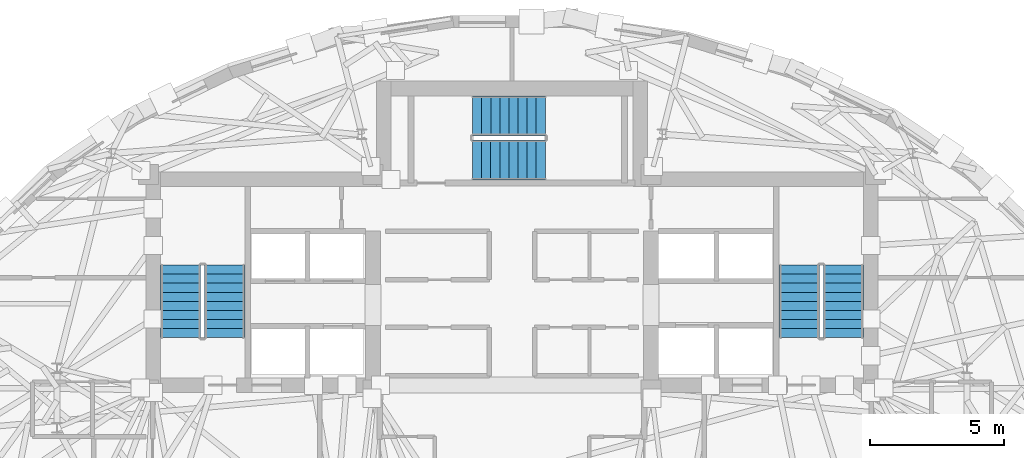
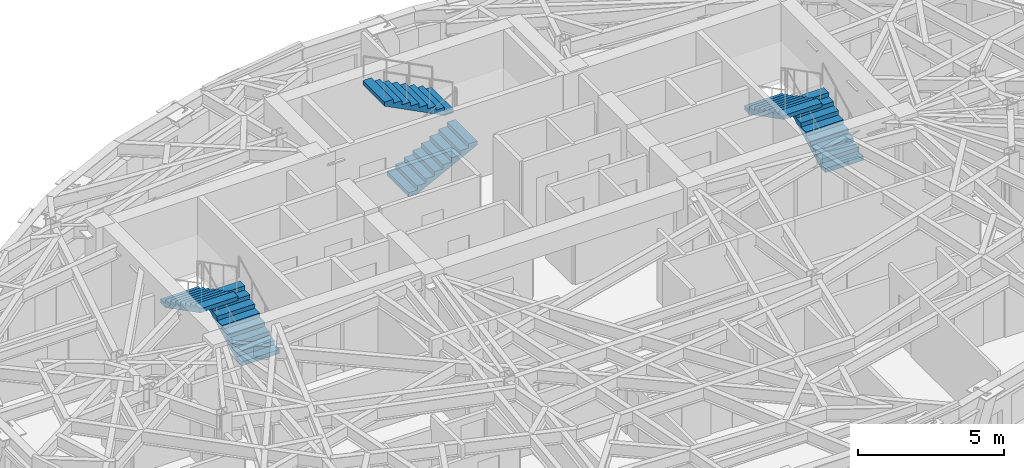
# One storey, part 11 of 14: 6 stair flights, 3 elements without a shape of their own.
"""IFC4 building model written with IfcOpenShell, lengths in metres."""

from ifc_helpers import new_model, si_unit, direction, frame, origin, place, context, subcontext, project, spatial, polyline, outline, extrude, material, type_object, element, aggregate, save


model = new_model("IFC4")

# Units and contexts
model_context = context("Model", 3, precision=1e-05, world=origin(), true_north=direction((0.0, 1.0)))
body_context = subcontext(model_context, "Body", "Model", "MODEL_VIEW")
ifc_project = project(units=[si_unit("LENGTHUNIT", "METRE"), si_unit("AREAUNIT", "SQUARE_METRE"), si_unit("VOLUMEUNIT", "CUBIC_METRE"), si_unit("PLANEANGLEUNIT", "RADIAN"), si_unit("MASSUNIT", "GRAM", prefix="KILO")], contexts=[model_context])

# Site, building, storey
site_placement = place(None, origin())
site = spatial("IfcSite", under=ifc_project, at=site_placement, CompositionType="ELEMENT")
building_placement = place(site_placement, origin())
building = spatial("IfcBuilding", under=site, at=building_placement, Name="Keldmark Tower", CompositionType="ELEMENT")
storey_placement = place(building_placement, frame((0.0, 0.0, 225.75)))
storey = spatial("IfcBuildingStorey", under=building, at=storey_placement, Name="L63", CompositionType="ELEMENT", Elevation=225.75)

# Stair, stair flights
ifc_material_1 = material(Name="Concrete C40/50", Category="concrete")
stair_type = type_object("IfcStairType", Name="Precast Concrete Core Exit Stair", PredefinedType="HALF_TURN_STAIR", material=ifc_material_1)
stair_1_placement = place(storey_placement, origin())
stair_1 = element("IfcStair", 1, at=stair_1_placement, inside=storey, type_object=stair_type, Name="L63 Exit Stair ST1", PredefinedType="HALF_TURN_STAIR")
ifc_material_2 = material(Name="Concrete C40/50", Category="concrete")
stair_flight_type = type_object("IfcStairFlightType", Name="Precast Concrete Stair Flight 1500 mm", PredefinedType="STRAIGHT", material=ifc_material_2)
stair_flight_1_placement = place(storey_placement, frame((-10.75, 3.35009765625, 0.0), z_axis=(0.0, 0.0, 1.0), x_axis=(0.0, 1.0, 0.0)))
stair_flight_1 = element("IfcStairFlight", 2, at=stair_flight_1_placement, type_object=stair_flight_type, Name="ST1 flight 1", NumberOfRisers=9, NumberOfTreads=8, PredefinedType="STRAIGHT", RiserHeight=0.175, TreadLength=0.34, context=body_context, shape_type="SweptSolid", body=[
    extrude(outline(polyline([(0.0, 0.0), (0.0, 0.175048828125), (0.340087890625, 0.175048828125), (0.340087890625, 0.35009765625), (0.679931640625, 0.35009765625), (0.679931640625, 0.52490234375), (1.02001953125, 0.52490234375), (1.02001953125, 0.699951171875), (1.360107421875, 0.699951171875), (1.360107421875, 0.875), (1.699951171875, 0.875), (1.699951171875, 1.050048828125), (2.0400390625, 1.050048828125), (2.0400390625, 1.22509765625), (2.3798828125, 1.22509765625), (2.3798828125, 1.39990234375), (2.719970703125, 1.39990234375), (2.719970703125, 1.574951171875), (2.719970703125, 1.2314453125), (0.32763671875, 0.0), (0.0, 0.0)])), frame((0.0, 0.75, 0.0), z_axis=(0.0, -1.0, 0.0), x_axis=(1.0, 0.0, 0.0)), (0.0, 0.0, 1.0), 1.5),
])
stair_flight_2_placement = place(storey_placement, frame((-12.39990234375, 6.070068359375, 1.574951171875), z_axis=(0.0, 0.0, 1.0), x_axis=(0.0, -1.0, 0.0)))
stair_flight_2 = element("IfcStairFlight", 3, at=stair_flight_2_placement, type_object=stair_flight_type, Name="ST1 flight 2", NumberOfRisers=9, NumberOfTreads=8, PredefinedType="STRAIGHT", RiserHeight=0.175, TreadLength=0.34, context=body_context, shape_type="SweptSolid", body=[
    extrude(outline(polyline([(0.0, 0.0), (0.0, 0.175048828125), (0.340087890625, 0.175048828125), (0.340087890625, 0.35009765625), (0.679931640625, 0.35009765625), (0.679931640625, 0.52490234375), (1.02001953125, 0.52490234375), (1.02001953125, 0.699951171875), (1.360107421875, 0.699951171875), (1.360107421875, 0.875), (1.699951171875, 0.875), (1.699951171875, 1.050048828125), (2.0400390625, 1.050048828125), (2.0400390625, 1.22509765625), (2.3798828125, 1.22509765625), (2.3798828125, 1.39990234375), (2.719970703125, 1.39990234375), (2.719970703125, 1.574951171875), (2.719970703125, 1.2314453125), (0.32763671875, 0.0), (0.0, 0.0)])), frame((0.0, 0.75, 0.0), z_axis=(0.0, -1.0, 0.0), x_axis=(1.0, 0.0, 0.0)), (0.0, 0.0, 1.0), 1.5),
])
aggregate(stair_1, [stair_flight_1, stair_flight_2])

stair_2_placement = place(storey_placement, origin())
stair_2 = element("IfcStair", 4, at=stair_2_placement, inside=storey, type_object=stair_type, Name="L63 Exit Stair ST2", PredefinedType="HALF_TURN_STAIR")
stair_flight_3_placement = place(storey_placement, frame((12.39990234375, 3.35009765625, 0.0), z_axis=(0.0, 0.0, 1.0), x_axis=(0.0, 1.0, 0.0)))
stair_flight_3 = element("IfcStairFlight", 5, at=stair_flight_3_placement, type_object=stair_flight_type, Name="ST2 flight 1", NumberOfRisers=9, NumberOfTreads=8, PredefinedType="STRAIGHT", RiserHeight=0.175, TreadLength=0.34, context=body_context, shape_type="SweptSolid", body=[
    extrude(outline(polyline([(0.0, 0.0), (0.0, 0.175048828125), (0.340087890625, 0.175048828125), (0.340087890625, 0.35009765625), (0.679931640625, 0.35009765625), (0.679931640625, 0.52490234375), (1.02001953125, 0.52490234375), (1.02001953125, 0.699951171875), (1.360107421875, 0.699951171875), (1.360107421875, 0.875), (1.699951171875, 0.875), (1.699951171875, 1.050048828125), (2.0400390625, 1.050048828125), (2.0400390625, 1.22509765625), (2.3798828125, 1.22509765625), (2.3798828125, 1.39990234375), (2.719970703125, 1.39990234375), (2.719970703125, 1.574951171875), (2.719970703125, 1.2314453125), (0.32763671875, 0.0), (0.0, 0.0)])), frame((0.0, 0.75, 0.0), z_axis=(0.0, -1.0, 0.0), x_axis=(1.0, 0.0, 0.0)), (0.0, 0.0, 1.0), 1.5),
])
stair_flight_4_placement = place(storey_placement, frame((10.75, 6.070068359375, 1.574951171875), z_axis=(0.0, 0.0, 1.0), x_axis=(0.0, -1.0, 0.0)))
stair_flight_4 = element("IfcStairFlight", 6, at=stair_flight_4_placement, type_object=stair_flight_type, Name="ST2 flight 2", NumberOfRisers=9, NumberOfTreads=8, PredefinedType="STRAIGHT", RiserHeight=0.175, TreadLength=0.34, context=body_context, shape_type="SweptSolid", body=[
    extrude(outline(polyline([(0.0, 0.0), (0.0, 0.175048828125), (0.340087890625, 0.175048828125), (0.340087890625, 0.35009765625), (0.679931640625, 0.35009765625), (0.679931640625, 0.52490234375), (1.02001953125, 0.52490234375), (1.02001953125, 0.699951171875), (1.360107421875, 0.699951171875), (1.360107421875, 0.875), (1.699951171875, 0.875), (1.699951171875, 1.050048828125), (2.0400390625, 1.050048828125), (2.0400390625, 1.22509765625), (2.3798828125, 1.22509765625), (2.3798828125, 1.39990234375), (2.719970703125, 1.39990234375), (2.719970703125, 1.574951171875), (2.719970703125, 1.2314453125), (0.32763671875, 0.0), (0.0, 0.0)])), frame((0.0, 0.75, 0.0), z_axis=(0.0, -1.0, 0.0), x_axis=(1.0, 0.0, 0.0)), (0.0, 0.0, 1.0), 1.5),
])
aggregate(stair_2, [stair_flight_3, stair_flight_4])

stair_3_placement = place(storey_placement, origin())
stair_3 = element("IfcStair", 7, at=stair_3_placement, inside=storey, type_object=stair_type, Name="L63 Exit Stair ST3", PredefinedType="HALF_TURN_STAIR")
stair_flight_5_placement = place(storey_placement, frame((-1.47509765625, 10.0, 0.0), z_axis=(0.0, 0.0, 1.0), x_axis=(1.0, 0.0, 0.0)))
stair_flight_5 = element("IfcStairFlight", 8, at=stair_flight_5_placement, type_object=stair_flight_type, Name="ST3 flight 1", NumberOfRisers=9, NumberOfTreads=8, PredefinedType="STRAIGHT", RiserHeight=0.175, TreadLength=0.34, context=body_context, shape_type="SweptSolid", body=[
    extrude(outline(polyline([(0.0, 0.0), (0.0, 0.175048828125), (0.340087890625, 0.175048828125), (0.340087890625, 0.35009765625), (0.679931640625, 0.35009765625), (0.679931640625, 0.52490234375), (1.02001953125, 0.52490234375), (1.02001953125, 0.699951171875), (1.360107421875, 0.699951171875), (1.360107421875, 0.875), (1.699951171875, 0.875), (1.699951171875, 1.050048828125), (2.0400390625, 1.050048828125), (2.0400390625, 1.22509765625), (2.3798828125, 1.22509765625), (2.3798828125, 1.39990234375), (2.719970703125, 1.39990234375), (2.719970703125, 1.574951171875), (2.719970703125, 1.2314453125), (0.32763671875, 0.0), (0.0, 0.0)])), frame((0.0, 0.75, 0.0), z_axis=(0.0, -1.0, 0.0), x_axis=(1.0, 0.0, 0.0)), (0.0, 0.0, 1.0), 1.5),
])
stair_flight_6_placement = place(storey_placement, frame((1.2451171875, 11.64990234375, 1.574951171875), z_axis=(0.0, 0.0, 1.0), x_axis=(-1.0, 0.0, 0.0)))
stair_flight_6 = element("IfcStairFlight", 9, at=stair_flight_6_placement, type_object=stair_flight_type, Name="ST3 flight 2", NumberOfRisers=9, NumberOfTreads=8, PredefinedType="STRAIGHT", RiserHeight=0.175, TreadLength=0.34, context=body_context, shape_type="SweptSolid", body=[
    extrude(outline(polyline([(0.0, 0.0), (0.0, 0.175048828125), (0.340087890625, 0.175048828125), (0.340087890625, 0.35009765625), (0.679931640625, 0.35009765625), (0.679931640625, 0.52490234375), (1.02001953125, 0.52490234375), (1.02001953125, 0.699951171875), (1.360107421875, 0.699951171875), (1.360107421875, 0.875), (1.699951171875, 0.875), (1.699951171875, 1.050048828125), (2.0400390625, 1.050048828125), (2.0400390625, 1.22509765625), (2.3798828125, 1.22509765625), (2.3798828125, 1.39990234375), (2.719970703125, 1.39990234375), (2.719970703125, 1.574951171875), (2.719970703125, 1.2314453125), (0.32763671875, 0.0), (0.0, 0.0)])), frame((0.0, 0.75, 0.0), z_axis=(0.0, -1.0, 0.0), x_axis=(1.0, 0.0, 0.0)), (0.0, 0.0, 1.0), 1.5),
])
aggregate(stair_3, [stair_flight_5, stair_flight_6])

save(model, "model.ifc")
